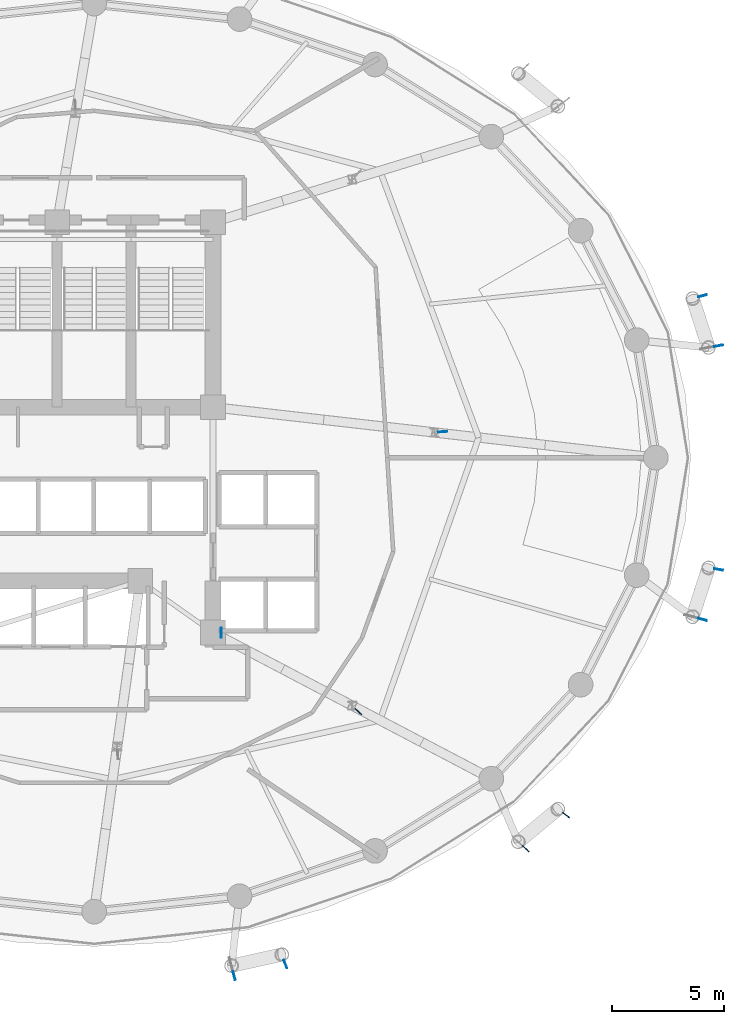
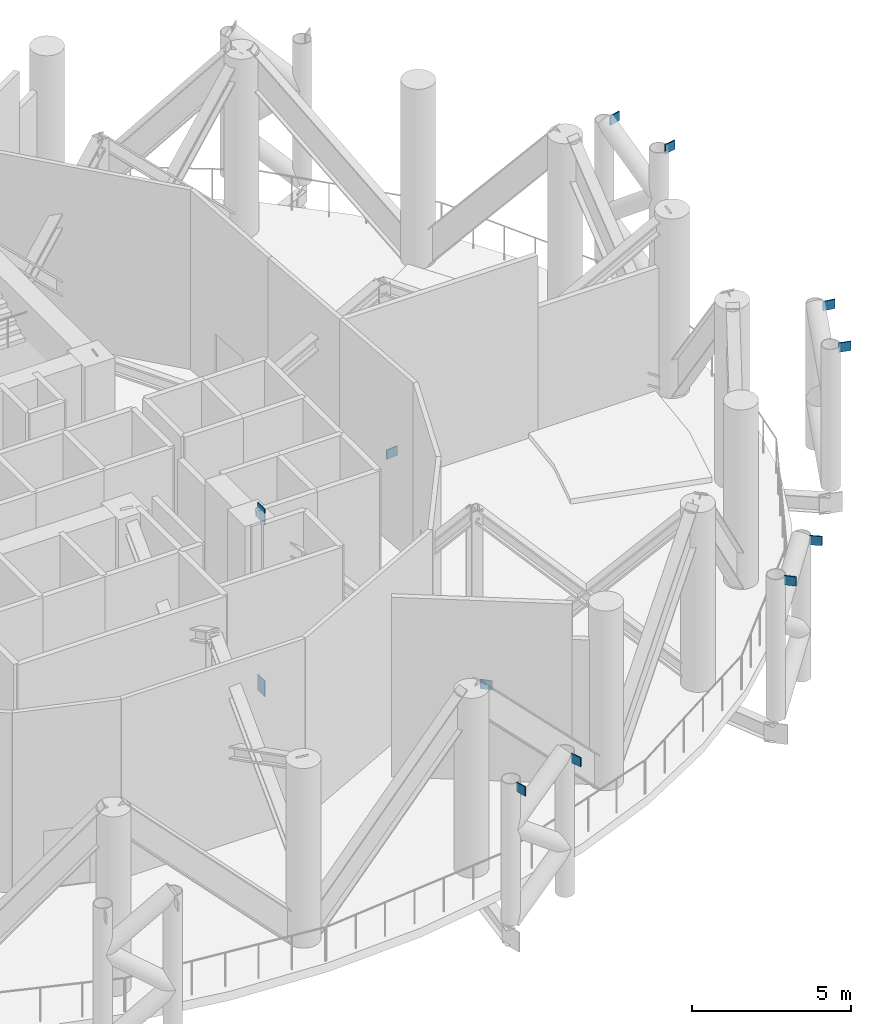
# One storey, part 13 of 19: 12 discrete accessories.
"""IFC4 building model written with IfcOpenShell, lengths in metres."""

from ifc_helpers import new_model, si_unit, direction, frame, origin, origin_2d, place, context, subcontext, project, spatial, rectangle, extrude, material, type_object, element, save


model = new_model("IFC4")

# Units and contexts
model_context = context("Model", 3, precision=1e-05, world=origin(), true_north=direction((0.0, 1.0)))
body_context = subcontext(model_context, "Body", "Model", "MODEL_VIEW")
ifc_project = project(units=[si_unit("LENGTHUNIT", "METRE"), si_unit("AREAUNIT", "SQUARE_METRE"), si_unit("VOLUMEUNIT", "CUBIC_METRE"), si_unit("PLANEANGLEUNIT", "RADIAN"), si_unit("MASSUNIT", "GRAM", prefix="KILO")], contexts=[model_context])

# Site, building, storey
site_placement = place(None, origin())
site = spatial("IfcSite", under=ifc_project, at=site_placement, CompositionType="ELEMENT")
building_placement = place(site_placement, origin())
building = spatial("IfcBuilding", under=site, at=building_placement, Name="Nuhasar Tower", CompositionType="ELEMENT")
storey_placement = place(building_placement, frame((0.0, 0.0, 106.050048828125)))
storey = spatial("IfcBuildingStorey", under=building, at=storey_placement, Name="L25", CompositionType="ELEMENT", Elevation=106.050048828125)

# Discrete accessories
ifc_material = material(Name="Steel S460", Category="steel")
discrete_accessory_type_1 = type_object("IfcDiscreteAccessoryType", Name="ACC-EMB-30", PredefinedType="USERDEFINED", material=ifc_material)
for number, where, z_axis, x_axis, name in (
    (1, (44.6650390625, 19.0, -0.150146484375), (0.0, 0.0, 1.0), (1.0, 0.0, 0.0), "L25 Outrigger Diagonal Core Wall Cast-in Plate 03-LO"),
    (2, (44.6650390625, 19.0, 6.429931640625), (0.0, 0.0, 1.0), (1.0, 0.0, 0.0), "L25 Outrigger Diagonal Core Wall Cast-in Plate 03-HI"),
):
    element("IfcDiscreteAccessory", number, at=place(storey_placement, frame(where, z_axis=z_axis, x_axis=x_axis)), inside=storey, type_object=discrete_accessory_type_1, Name=name, ObjectType="CAST_IN_PLATE", PredefinedType="USERDEFINED", context=body_context, shape_type="SweptSolid", body=[
        extrude(rectangle(XDim=0.030029296875, YDim=0.449951171875, at=origin_2d()), origin(), (0.0, 0.0, 1.0), 0.60009765625),
    ])
discrete_accessory_type_2 = type_object("IfcDiscreteAccessoryType", Name="ACC-GUS-40", PredefinedType="USERDEFINED", material=ifc_material)
for number, where, z_axis, x_axis, name in (
    (3, (66.847900390625, 31.7900390625, 5.079833984375), (0.0, 0.0, 1.0), (0.984322075157, 0.176380419433, 0.0), "L25 Exoskeleton Chord Column EC-01A Gusset Plate"),
    (4, (66.132080078125, 34.01611328125, 5.079833984375), (0.0, 0.0, 1.0), (0.966403000906, 0.257031593079, 0.0), "L25 Exoskeleton Chord Column EC-01B Gusset Plate"),
    (5, (45.242919921875, 3.701904296875, 5.079833984375), (0.0, 0.0, 1.0), (0.260908902007, -0.965363426308, 0.0), "L25 Exoskeleton Chord Column EC-10A Gusset Plate"),
    (6, (47.531005859375, 4.214111328125, 5.079833984375), (0.0, 0.0, 1.0), (0.353344227708, -0.93549337611, 0.0), "L25 Exoskeleton Chord Column EC-10B Gusset Plate"),
    (7, (58.25, 9.35498046875, 5.079833984375), (0.0, 0.0, 1.0), (0.741003867187, -0.671500758611, 0.0), "L25 Exoskeleton Chord Column EC-11A Gusset Plate"),
    (8, (60.048095703125, 10.85400390625, 5.079833984375), (0.0, 0.0, 1.0), (0.797078306655, -0.60387595834, 0.0), "L25 Exoskeleton Chord Column EC-11B Gusset Plate"),
    (9, (66.132080078125, 19.583984375, 5.079833984375), (0.0, 0.0, 1.0), (0.966403000906, -0.257031593079, 0.0), "L25 Exoskeleton Chord Column EC-12A Gusset Plate"),
    (10, (66.847900390625, 21.81005859375, 5.079833984375), (0.0, 0.0, 1.0), (0.984322075157, -0.176380419433, 0.0), "L25 Exoskeleton Chord Column EC-12B Gusset Plate"),
    (11, (50.781005859375, 15.47802734375, 0.0), (0.0, 0.0, 1.0), (0.72099874077, -0.692936372121, 0.0), "L25 Outrigger Truss Post 03 Gusset Plate"),
    (12, (54.553955078125, 27.952880859375, 0.0), (0.0, 0.0, 1.0), (0.997263104282, 0.073934436076, 0.0), "L25 Outrigger Truss Post 04 Gusset Plate"),
):
    element("IfcDiscreteAccessory", number, at=place(storey_placement, frame(where, z_axis=z_axis, x_axis=x_axis)), inside=storey, type_object=discrete_accessory_type_2, Name=name, ObjectType="STEEL_GUSSET_PLATE", PredefinedType="USERDEFINED", context=body_context, shape_type="SweptSolid", body=[
        extrude(rectangle(XDim=0.39990234375, YDim=0.0400390625, at=origin_2d()), origin(), (0.0, 0.0, 1.0), 0.35009765625),
    ])

save(model, "model.ifc")
